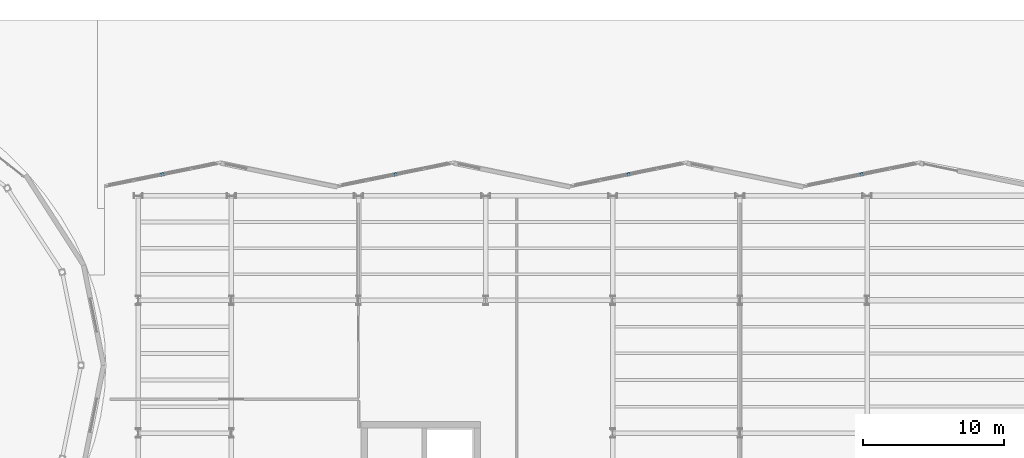
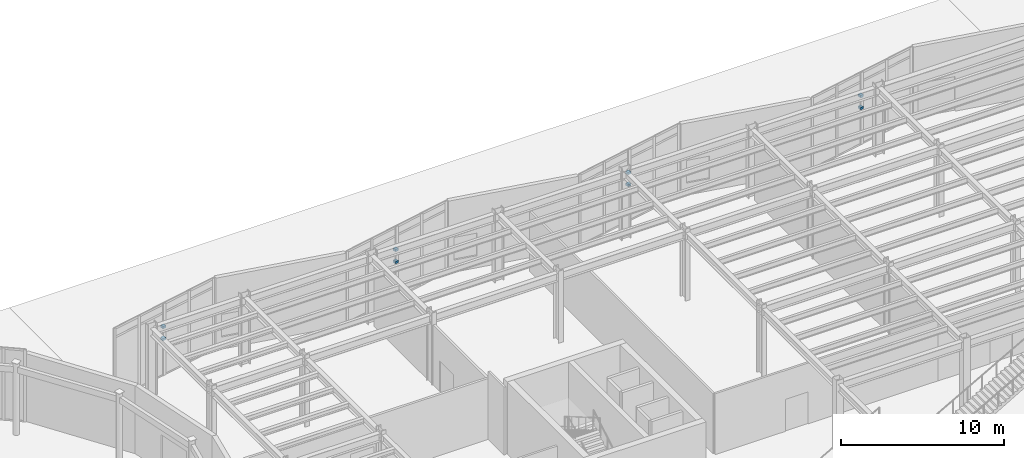
# One storey, part 83 of 94: 8 discrete accessories.
"""IFC4 building model written with IfcOpenShell, lengths in metres."""

from ifc_helpers import new_model, si_unit, direction, frame, origin, origin_2d, place, context, subcontext, project, spatial, rectangle, extrude, material, type_object, element, save


model = new_model("IFC4")

# Units and contexts
model_context = context("Model", 3, precision=1e-05, world=origin(), true_north=direction((0.0, 1.0)))
body_context = subcontext(model_context, "Body", "Model", "MODEL_VIEW")
ifc_project = project(units=[si_unit("LENGTHUNIT", "METRE"), si_unit("AREAUNIT", "SQUARE_METRE"), si_unit("VOLUMEUNIT", "CUBIC_METRE"), si_unit("PLANEANGLEUNIT", "RADIAN"), si_unit("MASSUNIT", "GRAM", prefix="KILO")], contexts=[model_context])

# Site, building, storey
site_placement = place(None, origin())
site = spatial("IfcSite", under=ifc_project, at=site_placement, CompositionType="ELEMENT")
building_placement = place(site_placement, origin())
building = spatial("IfcBuilding", under=site, at=building_placement, Name="Sollismere Congress Hotel", CompositionType="ELEMENT")
storey_placement = place(building_placement, origin())
storey = spatial("IfcBuildingStorey", under=building, at=storey_placement, Name="L00", CompositionType="ELEMENT", Elevation=0.0)

# Discrete accessories
ifc_material = material(Name="Steel ASTM A572 Grade 50", Category="steel")
discrete_accessory_type = type_object("IfcDiscreteAccessoryType", Name="BRK-STL", PredefinedType="BRACKET", material=ifc_material)
for number, where, z_axis, x_axis, name in (
    (1, (62.113037109375, 103.91796875, 2.63134765625), (0.0, 0.0, 1.0), (0.979924704621, 0.199367934417, 0.0), "BRK-SBK-002A"),
    (2, (62.113037109375, 103.91796875, 3.53125), (0.0, 0.0, 1.0), (0.979924704621, 0.199367934417, 0.0), "BRK-SBK-002B"),
    (3, (78.613037109375, 103.91796875, 2.63134765625), (0.0, 0.0, 1.0), (0.979924704621, 0.199367934417, 0.0), "BRK-SBK-003A"),
    (4, (78.613037109375, 103.91796875, 3.53125), (0.0, 0.0, 1.0), (0.979924704621, 0.199367934417, 0.0), "BRK-SBK-003B"),
    (5, (95.113037109375, 103.91796875, 2.63134765625), (0.0, 0.0, 1.0), (0.979924704621, 0.199367934417, 0.0), "BRK-SBK-004A"),
    (6, (95.113037109375, 103.91796875, 3.53125), (0.0, 0.0, 1.0), (0.979924704621, 0.199367934417, 0.0), "BRK-SBK-004B"),
    (7, (111.613037109375, 103.91796875, 2.63134765625), (0.0, 0.0, 1.0), (0.979924704621, 0.199367934417, 0.0), "BRK-SBK-005A"),
    (8, (111.613037109375, 103.91796875, 3.53125), (0.0, 0.0, 1.0), (0.979924704621, 0.199367934417, 0.0), "BRK-SBK-005B"),
):
    element("IfcDiscreteAccessory", number, at=place(storey_placement, frame(where, z_axis=z_axis, x_axis=x_axis)), inside=storey, type_object=discrete_accessory_type, Name=name, PredefinedType="BRACKET", context=body_context, shape_type="SweptSolid", body=[
        extrude(rectangle(XDim=0.219970703125, YDim=0.239990234375, at=origin_2d()), origin(), (0.0, 0.0, 1.0), 0.179931640625),
    ])

save(model, "model.ifc")
